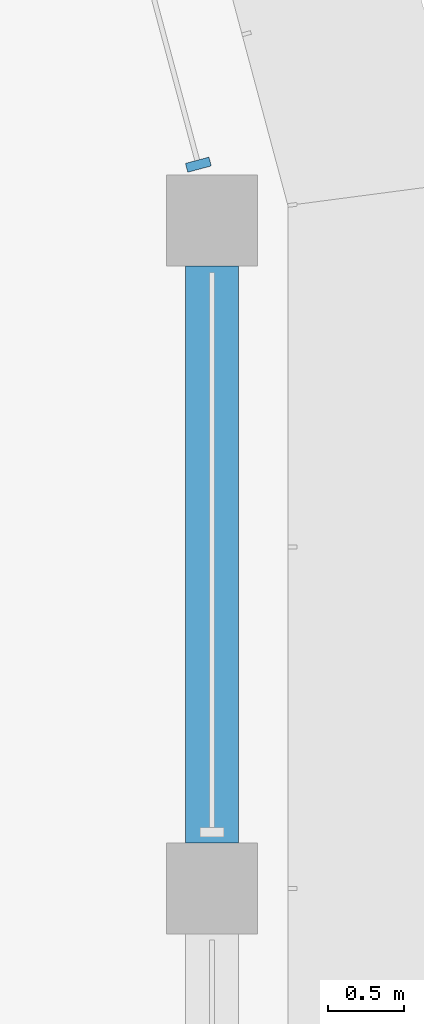
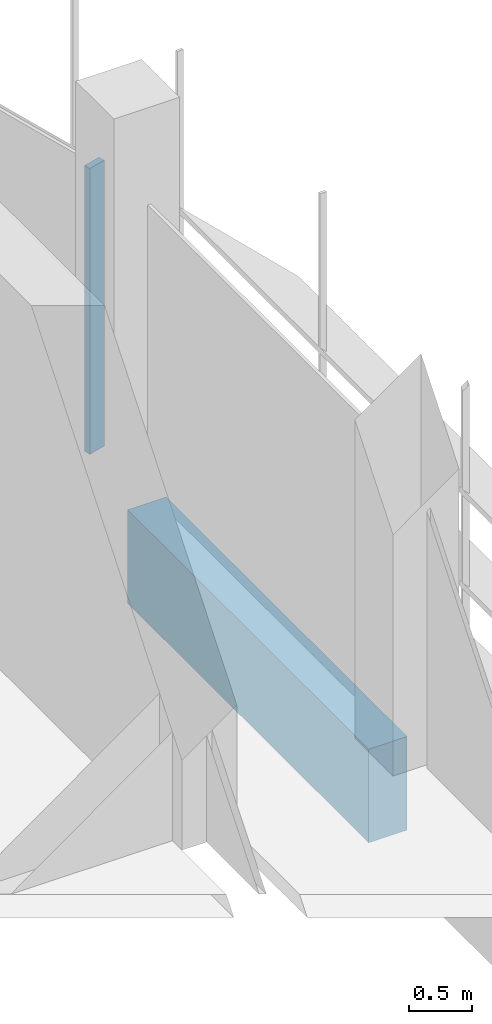
# One storey, part 10 of 19: 1 beam, 1 member, 1 element without a shape of its own.
"""IFC4 building model written with IfcOpenShell, lengths in metres."""

from ifc_helpers import new_model, si_unit, direction, frame, origin, origin_2d, place, context, subcontext, project, spatial, polyline, rectangle, outline, extrude, source, transform, mapped, material, material_profile, profile_set, type_object, element, aggregate, save


model = new_model("IFC4")

# Units and contexts
model_context = context("Model", 3, precision=1e-05, world=origin(), true_north=direction((0.0, 1.0)))
body_context = subcontext(model_context, "Body", "Model", "MODEL_VIEW")
ifc_project = project(units=[si_unit("LENGTHUNIT", "METRE"), si_unit("AREAUNIT", "SQUARE_METRE"), si_unit("VOLUMEUNIT", "CUBIC_METRE"), si_unit("PLANEANGLEUNIT", "RADIAN"), si_unit("MASSUNIT", "GRAM", prefix="KILO")], contexts=[model_context])

# Site, building, storey
site_placement = place(None, origin())
site = spatial("IfcSite", under=ifc_project, at=site_placement, CompositionType="ELEMENT")
building_placement = place(site_placement, origin())
building = spatial("IfcBuilding", under=site, at=building_placement, Name="Zarbagh Exchange Tower", CompositionType="ELEMENT")
storey_placement = place(building_placement, frame((0.0, 0.0, 265.0)))
storey = spatial("IfcBuildingStorey", under=building, at=storey_placement, Name="L65", CompositionType="ELEMENT", Elevation=265.0)

# Beam
ifc_material_1 = material(Name="Concrete C40/50", Category="concrete")
ifc_material_profile = material_profile(ifc_material_1, rectangle(XDim=0.35009765625, YDim=0.89990234375, at=origin_2d()), Name="RC spandrel beam 350 x 900 C40/50")
ifc_profile_set = profile_set([ifc_material_profile], Name="Concrete C40/50")
beam_type = type_object("IfcBeamType", Name="RC spandrel beam 350 x 900 C40/50", PredefinedType="SPANDREL", material=ifc_profile_set)
beam_placement = place(storey_placement, frame((6.25, 24.35009765625, -0.60009765625), z_axis=(0.0, -1.0, 0.0), x_axis=(1.0, 0.0, 0.0)))
element("IfcBeam", 1, at=beam_placement, inside=storey, type_object=beam_type, Name="RC spandrel beam", PredefinedType="SPANDREL", context=body_context, shape_type="SweptSolid", body=[
    extrude(rectangle(XDim=0.35009765625, YDim=0.89990234375, at=origin_2d()), origin(), (0.0, 0.0, 1.0), 3.800048828125),
])

# Curtain wall, member
ifc_material_2 = material(Name="Anodised aluminium frame and glazing", Category="aluminium")
curtain_wall_type = type_object("IfcCurtainWallType", Name="CWB Ribbon glazing, upper zones", PredefinedType="NOTDEFINED", material=ifc_material_2)
curtain_wall_placement = place(storey_placement, origin())
curtain_wall = element("IfcCurtainWall", 2, at=curtain_wall_placement, inside=storey, type_object=curtain_wall_type, Name="CWB68 curtain wall", PredefinedType="NOTDEFINED")
ifc_material_3 = material(Name="Anodised aluminium frame", Category="aluminium")
member_type = type_object("IfcMemberType", Name="MUB Mullion, anodised aluminium frame", PredefinedType="MULLION", material=ifc_material_3)
shared_shape = source(origin(), body_context, "Body", "SweptSolid", [
    extrude(outline(polyline([(0.0, -0.080078125), (0.06005859375, -0.080078125), (0.06005859375, 0.080078125), (0.0, 0.080078125), (0.0, -0.080078125)])), origin(), (0.0, 0.0, 1.0), 2.75),
])
member_placement = place(storey_placement, origin())
member = element("IfcMember", 3, at=member_placement, type_object=member_type, Name="CWB68 mullion 1.1", PredefinedType="MULLION", context=body_context, shape_type="MappedRepresentation", body=[
    mapped(shared_shape, transform((6.16796875, 24.989990234375, 0.0), x_axis=(-0.258824779902, 0.965924289636, 0.0), y_axis=(-0.965924289636, -0.258824779902, 0.0), z_axis=(0.0, 0.0, 1.0))),
])
aggregate(curtain_wall, [member])

save(model, "model.ifc")
